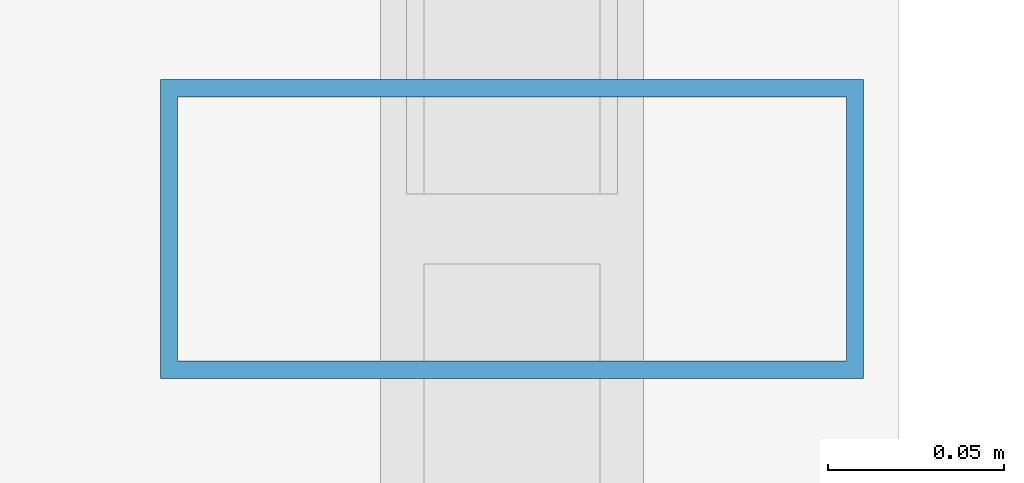
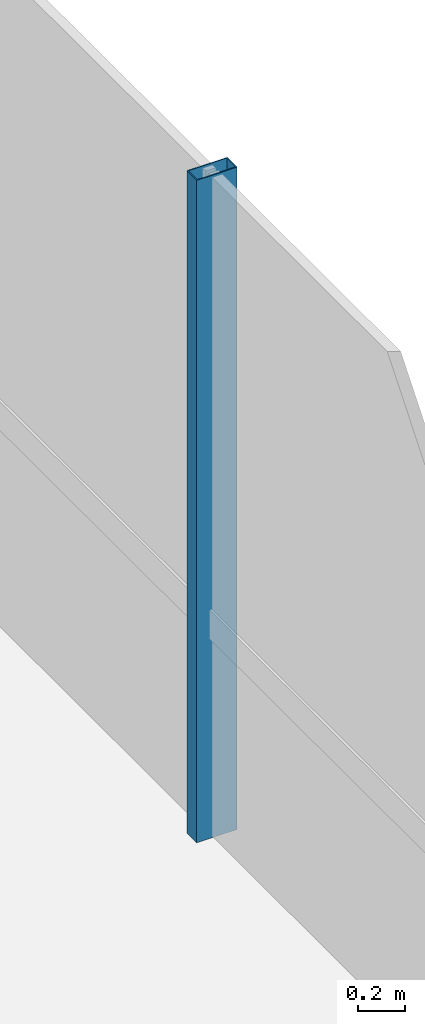
# One storey, part 7 of 34: 1 member, 1 element without a shape of its own.
"""IFC4 building model written with IfcOpenShell, lengths in metres."""

from ifc_helpers import new_model, si_unit, direction, frame, origin, origin_2d, place, context, subcontext, project, spatial, hollow_rectangle, extrude, source, transform, mapped, material, material_profile, profile_set, type_object, element, aggregate, save


model = new_model("IFC4")

# Units and contexts
model_context = context("Model", 3, precision=1e-05, world=origin(), true_north=direction((0.0, 1.0)))
body_context = subcontext(model_context, "Body", "Model", "MODEL_VIEW")
ifc_project = project(units=[si_unit("LENGTHUNIT", "METRE"), si_unit("AREAUNIT", "SQUARE_METRE"), si_unit("VOLUMEUNIT", "CUBIC_METRE"), si_unit("PLANEANGLEUNIT", "RADIAN"), si_unit("MASSUNIT", "GRAM", prefix="KILO")], contexts=[model_context])

# Site, building, storey
site_placement = place(None, origin())
site = spatial("IfcSite", under=ifc_project, at=site_placement, CompositionType="ELEMENT")
building_placement = place(site_placement, origin())
building = spatial("IfcBuilding", under=site, at=building_placement, Name="Valdorenza Pilgrim Sanctuary Tower", CompositionType="ELEMENT")
storey_placement = place(building_placement, frame((0.0, 0.0, 164.89990234375)))
storey = spatial("IfcBuildingStorey", under=building, at=storey_placement, Name="L42", CompositionType="ELEMENT", Elevation=164.89990234375)

# Curtain wall, member
ifc_material_1 = material(Name="Curtain-wall IGU glazing", Category="glass")
curtain_wall_type = type_object("IfcCurtainWallType", Name="CW-SYS-02", PredefinedType="NOTDEFINED", material=ifc_material_1)
curtain_wall_placement = place(storey_placement, origin())
curtain_wall = element("IfcCurtainWall", 1, at=curtain_wall_placement, inside=storey, type_object=curtain_wall_type, Name="L42 Curtain Wall CW-L42-1-21", PredefinedType="NOTDEFINED")
ifc_material_2 = material(Name="Anodised aluminium AW-6060", Category="aluminium")
ifc_material_profile = material_profile(ifc_material_2, hollow_rectangle(XDim=0.0849609375, YDim=0.199951171875, WallThickness=0.0048828125, at=origin_2d()), Name="ALU-M 200x85x5")
ifc_profile_set = profile_set([ifc_material_profile], Name="Anodised aluminium AW-6060")
member_type = type_object("IfcMemberType", Name="CW-MUL-02", PredefinedType="MULLION", material=ifc_profile_set)
shared_shape = source(origin(), body_context, "Body", "SweptSolid", [
    extrude(hollow_rectangle(XDim=0.0849609375, YDim=0.199951171875, WallThickness=0.0048828125, at=origin_2d()), origin(), (0.0, 0.0, 1.0), 3.460205078125),
])
member_placement = place(storey_placement, frame((-9.610107421875, -2.0224609375, 0.0), z_axis=(0.0, 0.0, 1.0), x_axis=(0.0, -1.0, 0.0)))
member = element("IfcMember", 2, at=member_placement, type_object=member_type, Name="CW-L42-1-21 Mullion 2", PredefinedType="MULLION", context=body_context, shape_type="MappedRepresentation", body=[
    mapped(shared_shape, transform((0.0, 0.0, 0.0), x_axis=(1.0, 0.0, 0.0), y_axis=(0.0, 1.0, 0.0), z_axis=(0.0, 0.0, 1.0), scale=1.0)),
])
aggregate(curtain_wall, [member])

save(model, "model.ifc")
